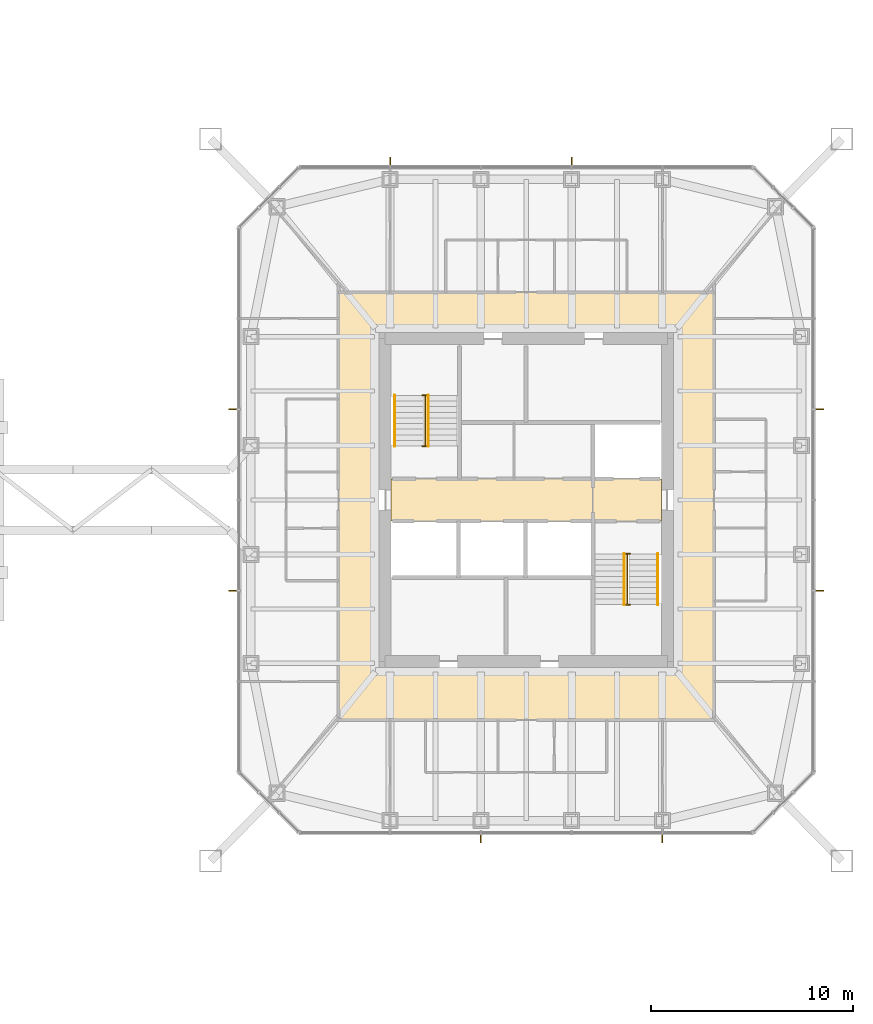
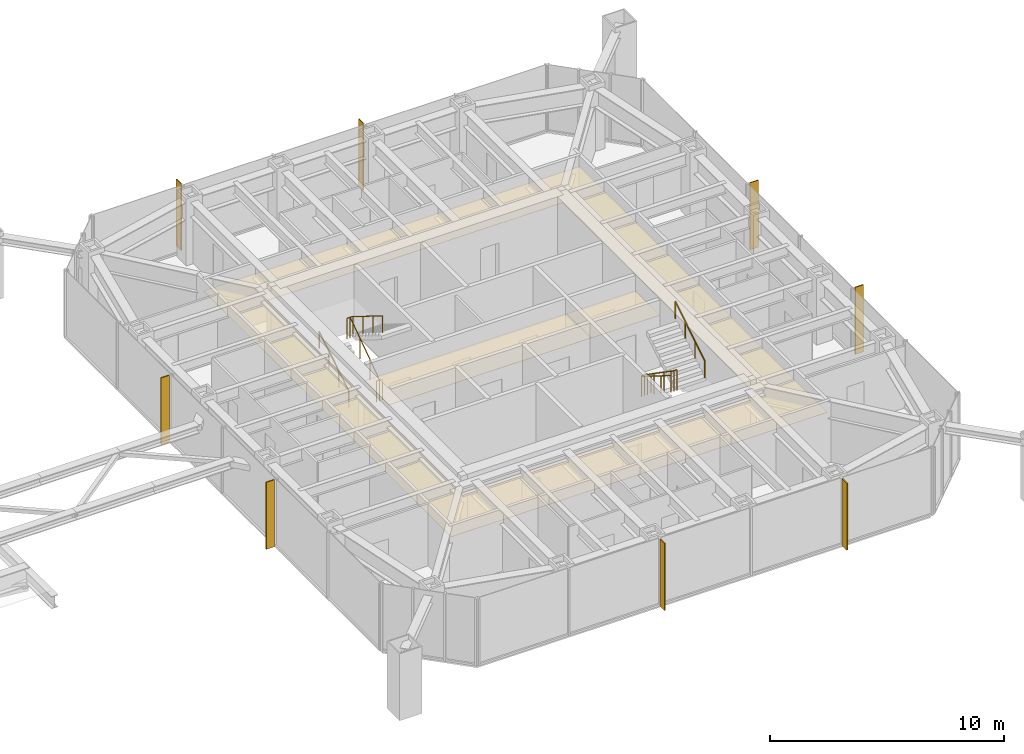
# One storey, part 26 of 26: 8 shading devices, 6 railings, 3 coverings.
"""IFC4 building model written with IfcOpenShell, lengths in metres."""

from ifc_helpers import new_model, si_unit, direction, frame, origin, origin_2d, place, context, subcontext, project, spatial, polyline, rectangle, circle, outline, extrude, material, layer, layer_set, constituent, constituent_set, type_object, element, save


model = new_model("IFC4")

# Units and contexts
model_context = context("Model", 3, precision=1e-05, world=origin(), true_north=direction((0.0, 1.0)))
body_context = subcontext(model_context, "Body", "Model", "MODEL_VIEW")
ifc_project = project(units=[si_unit("LENGTHUNIT", "METRE"), si_unit("AREAUNIT", "SQUARE_METRE"), si_unit("VOLUMEUNIT", "CUBIC_METRE"), si_unit("PLANEANGLEUNIT", "RADIAN"), si_unit("MASSUNIT", "GRAM", prefix="KILO")], contexts=[model_context])

# Site, building, storey
site_placement = place(None, origin())
site = spatial("IfcSite", under=ifc_project, at=site_placement, CompositionType="ELEMENT")
building_placement = place(site_placement, origin())
building = spatial("IfcBuilding", under=site, at=building_placement, Name="Iwan Alto Co-Living Towers", CompositionType="ELEMENT")
storey_placement = place(building_placement, frame((0.0, 0.0, 126.0)))
storey = spatial("IfcBuildingStorey", under=building, at=storey_placement, Name="L34", CompositionType="ELEMENT", Elevation=126.0)

# Coverings
ifc_material_1 = material(Name="Mineral fibre acoustic tiles on steel grid", Category="steel")
ifc_layer_1 = layer(ifc_material_1, 0.02001953125)
ifc_layer_set_1 = layer_set([ifc_layer_1], Name="ACOUSTIC TILE CEILING 20")
covering_type_1 = type_object("IfcCoveringType", Name="ACOUSTIC TILE CEILING 20", PredefinedType="CEILING", material=ifc_layer_set_1)
covering_1_placement = place(storey_placement, frame((0.0, 0.0, 2.60009765625)))
element("IfcCovering", 1, at=covering_1_placement, inside=storey, type_object=covering_type_1, Name="Ceiling Lift lobby L34", PredefinedType="CEILING", context=body_context, shape_type="SweptSolid", body=[
    extrude(outline(polyline([(56.300048828125, -1.050048828125), (56.300048828125, 1.050048828125), (66.300048828125, 1.050048828125), (66.300048828125, -1.050048828125), (56.300048828125, -1.050048828125)])), origin(), (0.0, 0.0, 1.0), 0.02001953125),
])
covering_2_placement = place(storey_placement, frame((0.0, 0.0, 2.60009765625)))
element("IfcCovering", 2, at=covering_2_placement, inside=storey, type_object=covering_type_1, Name="Ceiling Firefighting lobby L34", PredefinedType="CEILING", context=body_context, shape_type="SweptSolid", body=[
    extrude(outline(polyline([(66.300048828125, -1.050048828125), (66.300048828125, 1.050048828125), (69.699951171875, 1.050048828125), (69.699951171875, -1.050048828125), (66.300048828125, -1.050048828125)])), origin(), (0.0, 0.0, 1.0), 0.02001953125),
])

# Shading devices
ifc_material_2 = material(Name="Aluminium 6063-T6 bronze anodised", Category="aluminium")
ifc_layer_2 = layer(ifc_material_2, 0.050048828125)
ifc_layer_set_2 = layer_set([ifc_layer_2], Name="BRONZE FIN 50X400")
shading_device_type = type_object("IfcShadingDeviceType", Name="BRONZE FIN 50X400", PredefinedType="USERDEFINED", material=ifc_layer_set_2)
for number, where, z_axis, x_axis, name in (
    (3, (60.75, -16.800048828125, 0.0), (0.0, 0.0, 1.0), (1.0, 0.0, 0.0), "Bronze fin L34"),
    (4, (69.75, -16.800048828125, 0.0), (0.0, 0.0, 1.0), (1.0, 0.0, 0.0), "Bronze fin L34"),
    (5, (77.550048828125, -4.5, 0.0), (0.0, 0.0, 1.0), (0.0, 1.0, 0.0), "Bronze fin L34"),
    (6, (77.550048828125, 4.5, 0.0), (0.0, 0.0, 1.0), (0.0, 1.0, 0.0), "Bronze fin L34"),
    (7, (65.25, 16.800048828125, 0.0), (0.0, 0.0, 1.0), (-1.0, 0.0, 0.0), "Bronze fin L34"),
    (8, (56.25, 16.800048828125, 0.0), (0.0, 0.0, 1.0), (-1.0, 0.0, 0.0), "Bronze fin L34"),
    (9, (48.449951171875, 4.5, 0.0), (0.0, 0.0, 1.0), (0.0, -1.0, 0.0), "Bronze fin L34"),
    (10, (48.449951171875, -4.5, 0.0), (0.0, 0.0, 1.0), (0.0, -1.0, 0.0), "Bronze fin L34"),
):
    element("IfcShadingDevice", number, at=place(storey_placement, frame(where, z_axis=z_axis, x_axis=x_axis)), inside=storey, type_object=shading_device_type, Name=name, ObjectType="LOUVER", PredefinedType="USERDEFINED", context=body_context, shape_type="SweptSolid", body=[
        extrude(rectangle(XDim=0.050048828125, YDim=0.39990234375, at=origin_2d()), origin(), (0.0, 0.0, 1.0), 3.5),
    ])

# Railings
ifc_material_3 = material(Name="Steel ASTM A500 Gr C", Category="steel")
ifc_constituent_1 = constituent(ifc_material_3, Name="Rails and posts", Category="Framing")
ifc_material_4 = material(Name="Steel ASTM A36", Category="steel")
ifc_constituent_2 = constituent(ifc_material_4, Name="Bar infill", Category="Infill")
ifc_constituent_set = constituent_set(constituents=[ifc_constituent_1, ifc_constituent_2], Name="STAIR GUARD 1100")
railing_type_1 = type_object("IfcRailingType", Name="STAIR GUARD 1100", PredefinedType="GUARDRAIL", material=ifc_constituent_set)
railing_1_placement = place(storey_placement, frame((58.0, 2.669921875, 0.0)))
element("IfcRailing", 11, at=railing_1_placement, inside=storey, type_object=railing_type_1, Name="Stair T2-S1 well guard L34", PredefinedType="GUARDRAIL", context=body_context, shape_type="SweptSolid", body=[
    extrude(circle(Radius=0.02392578125, at=origin_2d()), frame((0.0, 0.0, 1.076171875), z_axis=(0.0, 0.821372036852, 0.570392826987), x_axis=(-1.0, 0.0, 0.0)), (0.0, 0.0, 1.0), 3.068115234375),
    extrude(circle(Radius=0.02392578125, at=origin_2d()), frame((-0.14990234375, 0.0, 1.076171875), z_axis=(1.0, 0.0, 0.0), x_axis=(0.0, 1.0, 0.0)), (0.0, 0.0, 1.0), 0.2998046875),
    extrude(circle(Radius=0.02392578125, at=origin_2d()), frame((-0.14990234375, 2.52001953125, 2.826171875), z_axis=(1.0, 0.0, 0.0), x_axis=(0.0, 1.0, 0.0)), (0.0, 0.0, 1.0), 0.2998046875),
    extrude(circle(Radius=0.02099609375, at=origin_2d()), origin(), (0.0, 0.0, 1.0), 1.052001953125),
    extrude(circle(Radius=0.02099609375, at=origin_2d()), frame((0.0, 0.840087890625, 0.583251953125)), (0.0, 0.0, 1.0), 1.052001953125),
    extrude(circle(Radius=0.02099609375, at=origin_2d()), frame((0.0, 1.679931640625, 1.166748046875)), (0.0, 0.0, 1.0), 1.052001953125),
    extrude(circle(Radius=0.02099609375, at=origin_2d()), frame((0.0, 2.52001953125, 1.75)), (0.0, 0.0, 1.0), 1.052001953125),
    extrude(circle(Radius=0.02099609375, at=origin_2d()), frame((-0.14990234375, 0.0, 0.0)), (0.0, 0.0, 1.0), 1.052001953125),
    extrude(circle(Radius=0.02099609375, at=origin_2d()), frame((0.14990234375, 0.0, 0.0)), (0.0, 0.0, 1.0), 1.052001953125),
    extrude(circle(Radius=0.02099609375, at=origin_2d()), frame((-0.14990234375, 2.52001953125, 1.75)), (0.0, 0.0, 1.0), 1.052001953125),
    extrude(circle(Radius=0.02099609375, at=origin_2d()), frame((0.14990234375, 2.52001953125, 1.75)), (0.0, 0.0, 1.0), 1.052001953125),
])
railing_2_placement = place(storey_placement, frame((68.0, -2.669921875, 0.0)))
element("IfcRailing", 12, at=railing_2_placement, inside=storey, type_object=railing_type_1, Name="Stair T2-S2 well guard L34", PredefinedType="GUARDRAIL", context=body_context, shape_type="SweptSolid", body=[
    extrude(circle(Radius=0.02392578125, at=origin_2d()), frame((0.0, 0.0, 1.076171875), z_axis=(0.0, -0.821372036852, 0.570392826987), x_axis=(1.0, 0.0, 0.0)), (0.0, 0.0, 1.0), 3.068115234375),
    extrude(circle(Radius=0.02392578125, at=origin_2d()), frame((-0.14990234375, 0.0, 1.076171875), z_axis=(1.0, 0.0, 0.0), x_axis=(0.0, 1.0, 0.0)), (0.0, 0.0, 1.0), 0.2998046875),
    extrude(circle(Radius=0.02392578125, at=origin_2d()), frame((-0.14990234375, -2.52001953125, 2.826171875), z_axis=(1.0, 0.0, 0.0), x_axis=(0.0, 1.0, 0.0)), (0.0, 0.0, 1.0), 0.2998046875),
    extrude(circle(Radius=0.02099609375, at=origin_2d()), origin(), (0.0, 0.0, 1.0), 1.052001953125),
    extrude(circle(Radius=0.02099609375, at=origin_2d()), frame((0.0, -0.840087890625, 0.583251953125)), (0.0, 0.0, 1.0), 1.052001953125),
    extrude(circle(Radius=0.02099609375, at=origin_2d()), frame((0.0, -1.679931640625, 1.166748046875)), (0.0, 0.0, 1.0), 1.052001953125),
    extrude(circle(Radius=0.02099609375, at=origin_2d()), frame((0.0, -2.52001953125, 1.75)), (0.0, 0.0, 1.0), 1.052001953125),
    extrude(circle(Radius=0.02099609375, at=origin_2d()), frame((-0.14990234375, 0.0, 0.0)), (0.0, 0.0, 1.0), 1.052001953125),
    extrude(circle(Radius=0.02099609375, at=origin_2d()), frame((0.14990234375, 0.0, 0.0)), (0.0, 0.0, 1.0), 1.052001953125),
    extrude(circle(Radius=0.02099609375, at=origin_2d()), frame((-0.14990234375, -2.52001953125, 1.75)), (0.0, 0.0, 1.0), 1.052001953125),
    extrude(circle(Radius=0.02099609375, at=origin_2d()), frame((0.14990234375, -2.52001953125, 1.75)), (0.0, 0.0, 1.0), 1.052001953125),
])
ifc_material_5 = material(Name="Steel ASTM A500 Gr C", Category="steel")
railing_type_2 = type_object("IfcRailingType", Name="STAIR HANDRAIL 900", PredefinedType="HANDRAIL", material=ifc_material_5)
railing_3_placement = place(storey_placement, frame((56.469970703125, 2.669921875, 0.175048828125)))
element("IfcRailing", 13, at=railing_3_placement, inside=storey, type_object=railing_type_2, Name="Stair T2-S1 handrail 1 L34", PredefinedType="HANDRAIL", context=body_context, shape_type="SweptSolid", body=[
    extrude(circle(Radius=0.02392578125, at=origin_2d()), frame((0.0, 0.0, 0.8759765625), z_axis=(0.0, 0.848007534815, 0.529984170421), x_axis=(-1.0, 0.0, 0.0)), (0.0, 0.0, 1.0), 2.9716796875),
    extrude(circle(Radius=0.02099609375, at=origin_2d()), origin(), (0.0, 0.0, 1.0), 0.851806640625),
    extrude(circle(Radius=0.02099609375, at=origin_2d()), frame((0.0, 0.840087890625, 0.52490234375)), (0.0, 0.0, 1.0), 0.851806640625),
    extrude(circle(Radius=0.02099609375, at=origin_2d()), frame((0.0, 1.679931640625, 1.050048828125)), (0.0, 0.0, 1.0), 0.851806640625),
    extrude(circle(Radius=0.02099609375, at=origin_2d()), frame((0.0, 2.52001953125, 1.574951171875)), (0.0, 0.0, 1.0), 0.851806640625),
])
for number, where, name in (
    (14, (58.14990234375, 5.18994140625, 1.925048828125), "Stair T2-S1 handrail 2 L34"),
    (15, (67.85009765625, -2.669921875, 0.175048828125), "Stair T2-S2 handrail 1 L34"),
):
    element("IfcRailing", number, at=place(storey_placement, frame(where)), inside=storey, type_object=railing_type_2, Name=name, PredefinedType="HANDRAIL", context=body_context, shape_type="SweptSolid", body=[
        extrude(circle(Radius=0.02392578125, at=origin_2d()), frame((0.0, 0.0, 0.8759765625), z_axis=(0.0, -0.848007534815, 0.529984170421), x_axis=(1.0, 0.0, 0.0)), (0.0, 0.0, 1.0), 2.9716796875),
        extrude(circle(Radius=0.02099609375, at=origin_2d()), origin(), (0.0, 0.0, 1.0), 0.851806640625),
        extrude(circle(Radius=0.02099609375, at=origin_2d()), frame((0.0, -0.840087890625, 0.52490234375)), (0.0, 0.0, 1.0), 0.851806640625),
        extrude(circle(Radius=0.02099609375, at=origin_2d()), frame((0.0, -1.679931640625, 1.050048828125)), (0.0, 0.0, 1.0), 0.851806640625),
        extrude(circle(Radius=0.02099609375, at=origin_2d()), frame((0.0, -2.52001953125, 1.574951171875)), (0.0, 0.0, 1.0), 0.851806640625),
    ])
railing_4_placement = place(storey_placement, frame((69.530029296875, -5.18994140625, 1.925048828125)))
element("IfcRailing", 16, at=railing_4_placement, inside=storey, type_object=railing_type_2, Name="Stair T2-S2 handrail 2 L34", PredefinedType="HANDRAIL", context=body_context, shape_type="SweptSolid", body=[
    extrude(circle(Radius=0.02392578125, at=origin_2d()), frame((0.0, 0.0, 0.8759765625), z_axis=(0.0, 0.848007534815, 0.529984170421), x_axis=(-1.0, 0.0, 0.0)), (0.0, 0.0, 1.0), 2.9716796875),
    extrude(circle(Radius=0.02099609375, at=origin_2d()), origin(), (0.0, 0.0, 1.0), 0.851806640625),
    extrude(circle(Radius=0.02099609375, at=origin_2d()), frame((0.0, 0.840087890625, 0.52490234375)), (0.0, 0.0, 1.0), 0.851806640625),
    extrude(circle(Radius=0.02099609375, at=origin_2d()), frame((0.0, 1.679931640625, 1.050048828125)), (0.0, 0.0, 1.0), 0.851806640625),
    extrude(circle(Radius=0.02099609375, at=origin_2d()), frame((0.0, 2.52001953125, 1.574951171875)), (0.0, 0.0, 1.0), 0.851806640625),
])

# Covering
ifc_material_6 = material(Name="Gypsum plasterboard on steel grid", Category="steel")
ifc_layer_3 = layer(ifc_material_6, 0.014892578125)
ifc_layer_set_3 = layer_set([ifc_layer_3], Name="SUSPENDED PLASTERBOARD CEILING 15")
covering_type_2 = type_object("IfcCoveringType", Name="SUSPENDED PLASTERBOARD CEILING 15", PredefinedType="CEILING", material=ifc_layer_set_3)
covering_3_placement = place(storey_placement, frame((0.0, 0.0, 2.60009765625)))
element("IfcCovering", 17, at=covering_3_placement, inside=storey, type_object=covering_type_2, Name="Ceiling Corridor L34", PredefinedType="CEILING", context=body_context, shape_type="SweptSolid", body=[
    extrude(outline(polyline([(53.699951171875, 10.300048828125), (72.300048828125, 10.300048828125), (72.300048828125, -10.89990234375), (53.699951171875, -10.89990234375), (53.699951171875, 10.300048828125)]), holes=[polyline([(55.699951171875, 8.300048828125), (55.699951171875, -8.300048828125), (70.300048828125, -8.300048828125), (70.300048828125, 8.300048828125), (55.699951171875, 8.300048828125)])]), origin(), (0.0, 0.0, 1.0), 0.014892578125),
])

save(model, "model.ifc")
